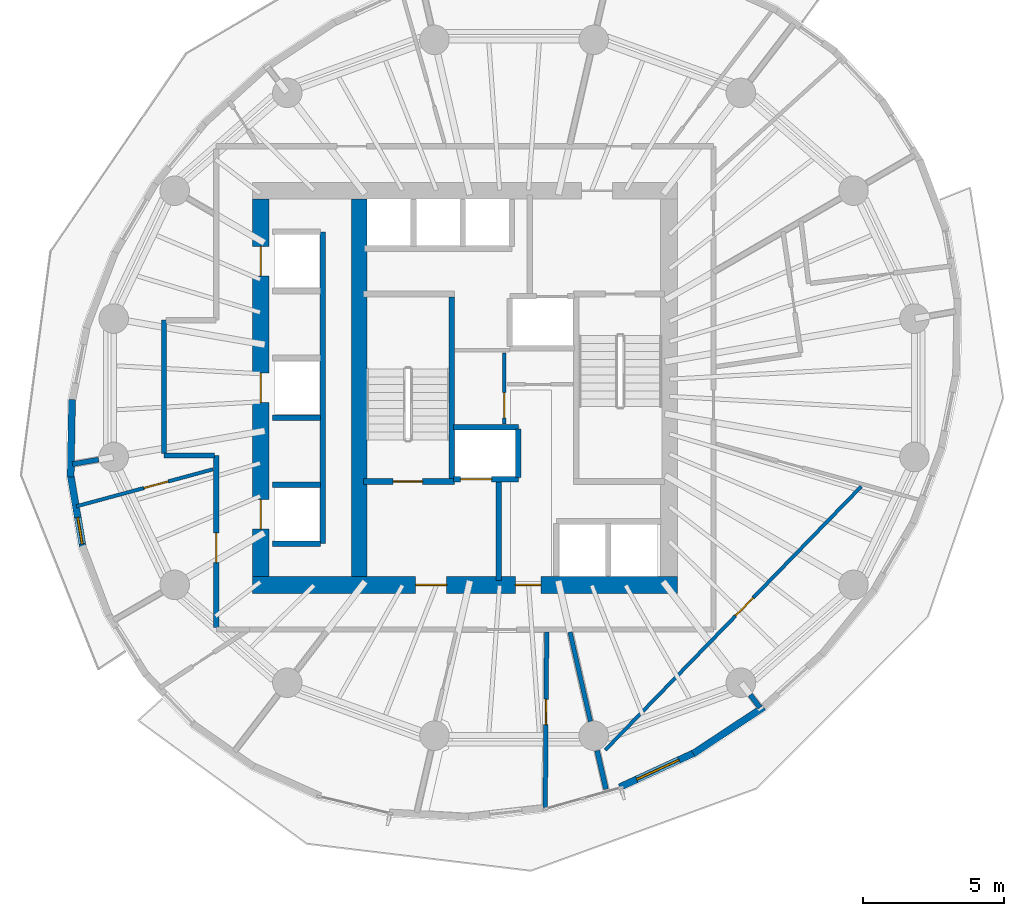
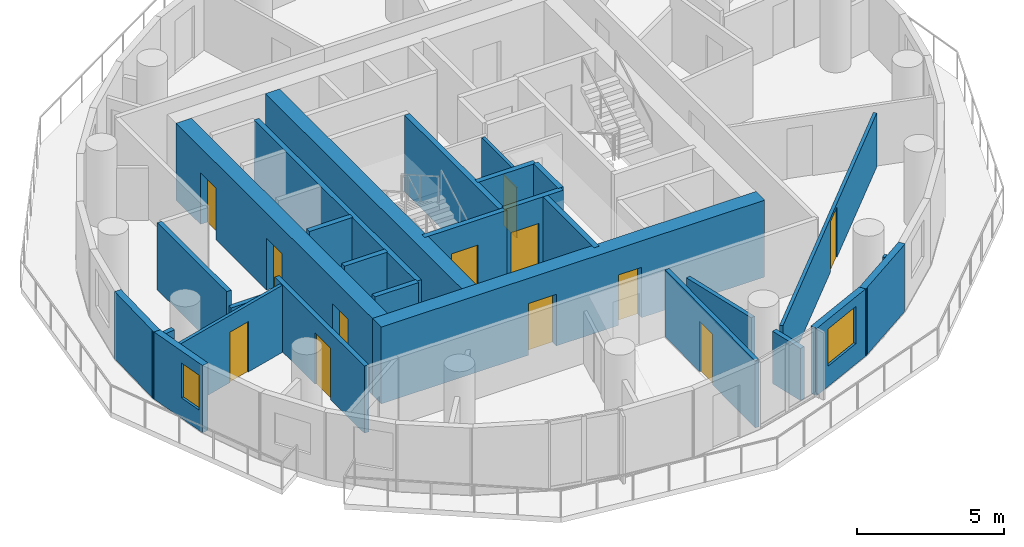
# One storey, part 5 of 13: 28 walls, 12 doors, 2 windows, 14 openings.
"""IFC4 building model written with IfcOpenShell, lengths in metres."""

from ifc_helpers import new_model, si_unit, direction, frame, frame_2d, origin, place, context, subcontext, project, spatial, rectangle, extrude, material, layer, layer_set, type_object, element, fill, save


model = new_model("IFC4")

# Units and contexts
model_context = context("Model", 3, precision=1e-05, world=origin(), true_north=direction((0.0, 1.0)))
body_context = subcontext(model_context, "Body", "Model", "MODEL_VIEW")
ifc_project = project(units=[si_unit("LENGTHUNIT", "METRE"), si_unit("AREAUNIT", "SQUARE_METRE"), si_unit("VOLUMEUNIT", "CUBIC_METRE"), si_unit("PLANEANGLEUNIT", "RADIAN"), si_unit("MASSUNIT", "GRAM", prefix="KILO")], contexts=[model_context])

# Site, building, storey
site_placement = place(None, origin())
site = spatial("IfcSite", under=ifc_project, at=site_placement, CompositionType="ELEMENT")
building_placement = place(site_placement, origin())
building = spatial("IfcBuilding", under=site, at=building_placement, Name="Veldorim Arch Residences", CompositionType="ELEMENT")
storey_placement = place(building_placement, frame((0.0, 0.0, 155.360107421875)))
storey = spatial("IfcBuildingStorey", under=building, at=storey_placement, Name="L46", CompositionType="ELEMENT", Elevation=155.360107421875)

# Wall, opening, door
ifc_material_1 = material(Name="Acoustic Gypsum Board", Category="gypsum")
ifc_layer_1 = layer(ifc_material_1, 0.125, Name="Acoustic Stud Room Partition Wall 125")
ifc_layer_set_1 = layer_set([ifc_layer_1], Name="Acoustic Gypsum Board")
wall_type_1 = type_object("IfcWallType", Name="Acoustic Stud Room Partition Wall 125", PredefinedType="PARTITIONING", material=ifc_layer_set_1)
wall_1_placement = place(storey_placement, frame((31.64990234375, 22.719970703125, 0.0), z_axis=(0.0, 0.0, 1.0), x_axis=(0.0, 1.0, 0.0)))
wall_1 = element("IfcWall", 1, at=wall_1_placement, inside=storey, type_object=wall_type_1, Name="L46 interior wall WL-CA-L46-1", PredefinedType="PARTITIONING", context=body_context, shape_type="SweptSolid", body=[
    extrude(rectangle(XDim=2.52001953125, YDim=0.125, at=frame_2d((1.260009765625, 0.0))), origin(), (0.0, 0.0, 1.0), 2.794921875),
])
opening_1_placement = place(wall_1_placement, frame((0.2099609375, 0.0, 0.0)))
opening_1 = element("IfcOpeningElement", 2, at=opening_1_placement, cuts=wall_1, Name="Opening DR-SVC", PredefinedType="OPENING", context=body_context, shape_type="SweptSolid", body=[
    extrude(rectangle(XDim=0.89990234375, YDim=2.10009765625, at=frame_2d((0.449951171875, 1.050048828125))), frame((0.0, 0.072509765625, 0.0), z_axis=(0.0, -1.0, 0.0), x_axis=(1.0, 0.0, 0.0)), (0.0, 0.0, 1.0), 0.14501953125),
])
ifc_material_2 = material(Name="Fire-Rated Steel", Category="steel")
door_type_1 = type_object("IfcDoorType", Name="Riser, Shelter & Plant Room Rated Steel Door 900x2100", OperationType="SINGLE_SWING_LEFT", PredefinedType="DOOR", material=ifc_material_2)
door_1_placement = place(opening_1_placement, origin())
door_1 = element("IfcDoor", 3, at=door_1_placement, inside=storey, type_object=door_type_1, Name="L46 interior door DR-L46-CA1", OperationType="SINGLE_SWING_LEFT", OverallHeight=2.10009765625, OverallWidth=0.89990234375, PredefinedType="DOOR", context=body_context, shape_type="SweptSolid", body=[
    extrude(rectangle(XDim=0.89990234375, YDim=2.10009765625, at=frame_2d((0.449951171875, 1.050048828125))), frame((0.0, 0.02490234375, 0.0), z_axis=(0.0, -1.0, 0.0), x_axis=(1.0, 0.0, 0.0)), (0.0, 0.0, 1.0), 0.050048828125),
])
fill(opening_1, door_1)

wall_2_placement = place(storey_placement, frame((44.335693359375, 20.49658203125, 0.0), z_axis=(0.0, 0.0, 1.0), x_axis=(-0.696857448942, -0.717209659621, 0.0)))
wall_2 = element("IfcWall", 4, at=wall_2_placement, inside=storey, type_object=wall_type_1, Name="L46 interior wall WL-RES-L46-021", PredefinedType="PARTITIONING", context=body_context, shape_type="SweptSolid", body=[
    extrude(rectangle(XDim=13.051513671875, YDim=0.125, at=frame_2d((6.52587890625, 0.0))), origin(), (0.0, 0.0, 1.0), 2.251220703125),
])
opening_2_placement = place(wall_2_placement, frame((5.515625, 0.0, 0.0)))
opening_2 = element("IfcOpeningElement", 5, at=opening_2_placement, cuts=wall_2, Name="Opening DR-INT", PredefinedType="OPENING", context=body_context, shape_type="SweptSolid", body=[
    extrude(rectangle(XDim=0.89990234375, YDim=2.10009765625, at=frame_2d((0.449951171875, 1.050048828125))), frame((0.0, 0.072509765625, 0.0), z_axis=(0.0, -1.0, 0.0), x_axis=(1.0, 0.0, 0.0)), (0.0, 0.0, 1.0), 0.14501953125),
])
ifc_material_3 = material(Name="Engineered Timber", Category="wood")
door_type_2 = type_object("IfcDoorType", Name="Apartment Internal Room Timber Door 900x2100", OperationType="SINGLE_SWING_LEFT", PredefinedType="DOOR", material=ifc_material_3)
door_2_placement = place(opening_2_placement, origin())
door_2 = element("IfcDoor", 6, at=door_2_placement, inside=storey, type_object=door_type_2, Name="L46 interior door DR-RES-L46-007", OperationType="SINGLE_SWING_LEFT", OverallHeight=2.10009765625, OverallWidth=0.89990234375, PredefinedType="DOOR", context=body_context, shape_type="SweptSolid", body=[
    extrude(rectangle(XDim=0.89990234375, YDim=2.10009765625, at=frame_2d((0.449951171875, 1.050048828125))), frame((0.0, 0.02490234375, 0.0), z_axis=(0.0, -1.0, 0.0), x_axis=(1.0, 0.0, 0.0)), (0.0, 0.0, 1.0), 0.050048828125),
])
fill(opening_2, door_2)

wall_3_placement = place(storey_placement, frame((16.44775390625, 19.788330078125, 0.0), z_axis=(0.0, 0.0, 1.0), x_axis=(0.965231473287, 0.261396639182, 0.0)))
wall_3 = element("IfcWall", 7, at=wall_3_placement, inside=storey, type_object=wall_type_1, Name="L46 interior wall WL-RES-L46-029", PredefinedType="PARTITIONING", context=body_context, shape_type="SweptSolid", body=[
    extrude(rectangle(XDim=5.031494140625, YDim=0.125, at=frame_2d((2.515625, 0.0))), origin(), (0.0, 0.0, 1.0), 2.794921875),
])
opening_3_placement = place(wall_3_placement, frame((2.485595703125, 0.0, 0.0)))
opening_3 = element("IfcOpeningElement", 8, at=opening_3_placement, cuts=wall_3, Name="Opening DR-INT", PredefinedType="OPENING", context=body_context, shape_type="SweptSolid", body=[
    extrude(rectangle(XDim=0.89990234375, YDim=2.10009765625, at=frame_2d((0.449951171875, 1.050048828125))), frame((0.0, 0.072509765625, 0.0), z_axis=(0.0, -1.0, 0.0), x_axis=(1.0, 0.0, 0.0)), (0.0, 0.0, 1.0), 0.14501953125),
])
door_3_placement = place(opening_3_placement, origin())
door_3 = element("IfcDoor", 9, at=door_3_placement, inside=storey, type_object=door_type_2, Name="L46 interior door DR-RES-L46-017", OperationType="SINGLE_SWING_LEFT", OverallHeight=2.10009765625, OverallWidth=0.89990234375, PredefinedType="DOOR", context=body_context, shape_type="SweptSolid", body=[
    extrude(rectangle(XDim=0.89990234375, YDim=2.10009765625, at=frame_2d((0.449951171875, 1.050048828125))), frame((0.0, 0.02490234375, 0.0), z_axis=(0.0, -1.0, 0.0), x_axis=(1.0, 0.0, 0.0)), (0.0, 0.0, 1.0), 0.050048828125),
])
fill(opening_3, door_3)

# Walls
ifc_material_4 = material(Name="Lightweight Masonry Block & Gypsum", Category="masonry")
ifc_layer_2 = layer(ifc_material_4, 0.179931640625, Name="Compartment & Corridor Fire-Rated Party Wall 180")
ifc_layer_set_2 = layer_set([ifc_layer_2], Name="Lightweight Masonry Block & Gypsum")
wall_type_2 = type_object("IfcWallType", Name="Compartment & Corridor Fire-Rated Party Wall 180", PredefinedType="PARTITIONING", material=ifc_layer_set_2)
wall_4_placement = place(storey_placement, frame((17.24169921875, 21.44921875, 0.0), z_axis=(0.0, 0.0, 1.0), x_axis=(-0.985363023372, -0.170469094476, 0.0)))
element("IfcWall", 10, at=wall_4_placement, inside=storey, type_object=wall_type_2, Name="L46 interior wall WL-PIER-L46-09", PredefinedType="PARTITIONING", context=body_context, shape_type="SweptSolid", body=[
    extrude(rectangle(XDim=0.9453125, YDim=0.179931640625, at=frame_2d((0.47265625, 0.0))), origin(), (0.0, 0.0, 1.0), 2.17578125),
])
wall_5_placement = place(storey_placement, frame((34.950439453125, 11.11083984375, 0.0), z_axis=(0.0, 0.0, 1.0), x_axis=(0.223121817242, -0.974790569646, 0.0)))
element("IfcWall", 11, at=wall_5_placement, inside=storey, type_object=wall_type_2, Name="L46 interior wall WL-PIER-L46-13", PredefinedType="PARTITIONING", context=body_context, shape_type="SweptSolid", body=[
    extrude(rectangle(XDim=1.406005859375, YDim=0.179931640625, at=frame_2d((0.703125, 0.0))), origin(), (0.0, 0.0, 1.0), 2.17578125),
])
wall_6_placement = place(storey_placement, frame((40.387939453125, 13.091552734375, 0.0), z_axis=(0.0, 0.0, 1.0), x_axis=(0.609608105511, -0.79270294417, 0.0)))
element("IfcWall", 12, at=wall_6_placement, inside=storey, type_object=wall_type_2, Name="L46 interior wall WL-PIER-L46-14", PredefinedType="PARTITIONING", context=body_context, shape_type="SweptSolid", body=[
    extrude(rectangle(XDim=0.57470703125, YDim=0.179931640625, at=frame_2d((0.287353515625, 0.0))), origin(), (0.0, 0.0, 1.0), 2.17578125),
])

# Wall, opening, door
wall_7_placement = place(storey_placement, frame((21.419921875, 15.47998046875, 0.0), z_axis=(0.0, 0.0, 1.0), x_axis=(0.0, 1.0, 0.0)))
wall_7 = element("IfcWall", 13, at=wall_7_placement, inside=storey, type_object=wall_type_2, Name="L46 interior wall WL-RES-L46-007", PredefinedType="PARTITIONING", context=body_context, shape_type="SweptSolid", body=[
    extrude(rectangle(XDim=6.1201171875, YDim=0.179931640625, at=frame_2d((3.06005859375, 0.0))), origin(), (0.0, 0.0, 1.0), 2.794921875),
])
opening_4_placement = place(wall_7_placement, frame((2.3125, 0.0, 0.0)))
opening_4 = element("IfcOpeningElement", 14, at=opening_4_placement, cuts=wall_7, Name="Opening DR-FLT", PredefinedType="OPENING", context=body_context, shape_type="SweptSolid", body=[
    extrude(rectangle(XDim=1.050048828125, YDim=2.14990234375, at=frame_2d((0.52490234375, 1.074951171875))), frame((0.0, 0.099853515625, 0.0), z_axis=(0.0, -1.0, 0.0), x_axis=(1.0, 0.0, 0.0)), (0.0, 0.0, 1.0), 0.199951171875),
])
ifc_material_5 = material(Name="Fire-Rated Timber", Category="wood")
door_type_3 = type_object("IfcDoorType", Name="Apartment Entrance Solid-Core Fire Door 1050x2150", OperationType="SINGLE_SWING_LEFT", PredefinedType="DOOR", material=ifc_material_5)
door_4_placement = place(opening_4_placement, origin())
door_4 = element("IfcDoor", 15, at=door_4_placement, inside=storey, type_object=door_type_3, Name="L46 interior door DR-RES-L46-015", OperationType="SINGLE_SWING_LEFT", OverallHeight=2.14990234375, OverallWidth=1.050048828125, PredefinedType="DOOR", context=body_context, shape_type="SweptSolid", body=[
    extrude(rectangle(XDim=1.050048828125, YDim=2.14990234375, at=frame_2d((0.52490234375, 1.074951171875))), frame((0.0, 0.02490234375, 0.0), z_axis=(0.0, -1.0, 0.0), x_axis=(1.0, 0.0, 0.0)), (0.0, 0.0, 1.0), 0.050048828125),
])
fill(opening_4, door_4)

# Walls
wall_8_placement = place(storey_placement, frame((21.360107421875, 21.60009765625, 0.0), z_axis=(0.0, 0.0, 1.0), x_axis=(-1.0, 0.0, 0.0)))
element("IfcWall", 16, at=wall_8_placement, inside=storey, type_object=wall_type_2, Name="L46 interior wall WL-RES-L46-008", PredefinedType="PARTITIONING", context=body_context, shape_type="SweptSolid", body=[
    extrude(rectangle(XDim=1.7900390625, YDim=0.179931640625, at=frame_2d((0.89501953125, 0.0))), origin(), (0.0, 0.0, 1.0), 2.17578125),
])
wall_9_placement = place(storey_placement, frame((19.570068359375, 21.659912109375, 0.0), z_axis=(0.0, 0.0, 1.0), x_axis=(0.0, 1.0, 0.0)))
element("IfcWall", 17, at=wall_9_placement, inside=storey, type_object=wall_type_2, Name="L46 interior wall WL-RES-L46-009", PredefinedType="PARTITIONING", context=body_context, shape_type="SweptSolid", body=[
    extrude(rectangle(XDim=4.739990234375, YDim=0.179931640625, at=frame_2d((2.3701171875, 0.0))), origin(), (0.0, 0.0, 1.0), 2.794921875),
])
ifc_material_6 = material(Name="Concrete C50/60", Category="concrete")
ifc_layer_3 = layer(ifc_material_6, 0.199951171875, Name="Core Stair & Lift Shaft Enclosure Wall 200")
ifc_layer_set_3 = layer_set([ifc_layer_3], Name="Concrete C50/60")
wall_type_3 = type_object("IfcWallType", Name="Core Stair & Lift Shaft Enclosure Wall 200", PredefinedType="SHEAR", material=ifc_layer_set_3)
wall_10_placement = place(storey_placement, frame((29.7900390625, 20.780029296875, 0.0), z_axis=(0.0, 0.0, 1.0), x_axis=(0.0, 1.0, 0.0)))
element("IfcWall", 18, at=wall_10_placement, inside=storey, type_object=wall_type_3, Name="L46 shaft wall WL-SHF-L46-ST1-E", PredefinedType="SHEAR", context=body_context, shape_type="SweptSolid", body=[
    extrude(rectangle(XDim=6.43994140625, YDim=0.199951171875, at=frame_2d((3.219970703125, 0.0))), origin(), (0.0, 0.0, 1.0), 3.199951171875),
])

# Wall, opening, door
wall_11_placement = place(storey_placement, frame((26.64990234375, 20.669921875, 0.0), z_axis=(0.0, 0.0, 1.0), x_axis=(1.0, 0.0, 0.0)))
wall_11 = element("IfcWall", 19, at=wall_11_placement, inside=storey, type_object=wall_type_3, Name="L46 shaft wall WL-SHF-L46-ST1-S", PredefinedType="SHEAR", context=body_context, shape_type="SweptSolid", body=[
    extrude(rectangle(XDim=3.239990234375, YDim=0.199951171875, at=frame_2d((1.6201171875, 0.0))), origin(), (0.0, 0.0, 1.0), 3.199951171875),
])
opening_5_placement = place(wall_11_placement, frame((1.054931640625, 0.0, 0.0)))
opening_5 = element("IfcOpeningElement", 20, at=opening_5_placement, cuts=wall_11, Name="Opening DR-ST", PredefinedType="OPENING", context=body_context, shape_type="SweptSolid", body=[
    extrude(rectangle(XDim=1.050048828125, YDim=2.14990234375, at=frame_2d((0.52490234375, 1.074951171875))), frame((0.0, 0.10986328125, 0.0), z_axis=(0.0, -1.0, 0.0), x_axis=(1.0, 0.0, 0.0)), (0.0, 0.0, 1.0), 0.219970703125),
])
ifc_material_7 = material(Name="Fire-Rated Steel", Category="steel")
door_type_4 = type_object("IfcDoorType", Name="Exit Staircase Self-Closing Fire Door 1050x2150", OperationType="SINGLE_SWING_LEFT", PredefinedType="DOOR", material=ifc_material_7)
door_5_placement = place(opening_5_placement, origin())
door_5 = element("IfcDoor", 21, at=door_5_placement, inside=storey, type_object=door_type_4, Name="L46 interior door DR-L46-ST1", OperationType="SINGLE_SWING_LEFT", OverallHeight=2.14990234375, OverallWidth=1.050048828125, PredefinedType="DOOR", context=body_context, shape_type="SweptSolid", body=[
    extrude(rectangle(XDim=1.050048828125, YDim=2.14990234375, at=frame_2d((0.52490234375, 1.074951171875))), frame((0.0, 0.02490234375, 0.0), z_axis=(0.0, -1.0, 0.0), x_axis=(1.0, 0.0, 0.0)), (0.0, 0.0, 1.0), 0.050048828125),
])
fill(opening_5, door_5)

# Wall
wall_12_placement = place(storey_placement, frame((31.449951171875, 17.14990234375, 0.0), z_axis=(0.0, 0.0, 1.0), x_axis=(0.0, 1.0, 0.0)))
element("IfcWall", 22, at=wall_12_placement, inside=storey, type_object=wall_type_3, Name="L46 shaft wall WL-FFL1-L46-E", PredefinedType="SHEAR", context=body_context, shape_type="SweptSolid", body=[
    extrude(rectangle(XDim=3.5, YDim=0.199951171875, at=frame_2d((1.75, 0.0))), origin(), (0.0, 0.0, 1.0), 3.199951171875),
])

# Wall, opening, door
wall_13_placement = place(storey_placement, frame((29.85009765625, 20.75, 0.0), z_axis=(0.0, 0.0, 1.0), x_axis=(1.0, 0.0, 0.0)))
wall_13 = element("IfcWall", 23, at=wall_13_placement, inside=storey, type_object=wall_type_3, Name="L46 shaft wall WL-FL01-L46-S", PredefinedType="SHEAR", context=body_context, shape_type="SweptSolid", body=[
    extrude(rectangle(XDim=2.2998046875, YDim=0.199951171875, at=frame_2d((1.14990234375, 0.0))), origin(), (0.0, 0.0, 1.0), 3.199951171875),
])
opening_6_placement = place(wall_13_placement, frame((0.25, 0.0, 0.0)))
opening_6 = element("IfcOpeningElement", 24, at=opening_6_placement, cuts=wall_13, Name="Opening LD-FF", PredefinedType="OPENING", context=body_context, shape_type="SweptSolid", body=[
    extrude(rectangle(XDim=1.10009765625, YDim=2.14990234375, at=frame_2d((0.550048828125, 1.074951171875))), frame((0.0, 0.10986328125, 0.0), z_axis=(0.0, -1.0, 0.0), x_axis=(1.0, 0.0, 0.0)), (0.0, 0.0, 1.0), 0.219970703125),
])
ifc_material_8 = material(Name="Stainless Steel", Category="steel")
door_type_5 = type_object("IfcDoorType", Name="Firefighting Lift Bi-Parting Sliding Landing Door 1100x2150", OperationType="DOUBLE_DOOR_SLIDING", PredefinedType="DOOR", material=ifc_material_8)
door_6_placement = place(opening_6_placement, origin())
door_6 = element("IfcDoor", 25, at=door_6_placement, inside=storey, type_object=door_type_5, Name="L46 lift landing door LD-L46-FL01", OperationType="DOUBLE_DOOR_SLIDING", OverallHeight=2.14990234375, OverallWidth=1.10009765625, PredefinedType="DOOR", context=body_context, shape_type="SweptSolid", body=[
    extrude(rectangle(XDim=1.10009765625, YDim=2.14990234375, at=frame_2d((0.550048828125, 1.074951171875))), frame((0.0, 0.02490234375, 0.0), z_axis=(0.0, -1.0, 0.0), x_axis=(1.0, 0.0, 0.0)), (0.0, 0.0, 1.0), 0.050048828125),
])
fill(opening_6, door_6)

# Walls
wall_14_placement = place(storey_placement, frame((29.85009765625, 22.60009765625, 0.0), z_axis=(0.0, 0.0, 1.0), x_axis=(1.0, 0.0, 0.0)))
element("IfcWall", 26, at=wall_14_placement, inside=storey, type_object=wall_type_3, Name="L46 shaft wall WL-FL01-L46-N", PredefinedType="SHEAR", context=body_context, shape_type="SweptSolid", body=[
    extrude(rectangle(XDim=2.2998046875, YDim=0.199951171875, at=frame_2d((1.14990234375, 0.0))), origin(), (0.0, 0.0, 1.0), 3.199951171875),
])
wall_15_placement = place(storey_placement, frame((32.14990234375, 20.820068359375, 0.0), z_axis=(0.0, 0.0, 1.0), x_axis=(0.0, 1.0, 0.0)))
element("IfcWall", 27, at=wall_15_placement, inside=storey, type_object=wall_type_3, Name="L46 shaft wall WL-FL01-L46-E", PredefinedType="SHEAR", context=body_context, shape_type="SweptSolid", body=[
    extrude(rectangle(XDim=1.7099609375, YDim=0.199951171875, at=frame_2d((0.85498046875, 0.0))), origin(), (0.0, 0.0, 1.0), 3.199951171875),
])
wall_16_placement = place(storey_placement, frame((25.199951171875, 18.4599609375, 0.0), z_axis=(0.0, 0.0, 1.0), x_axis=(0.0, 1.0, 0.0)))
element("IfcWall", 28, at=wall_16_placement, inside=storey, type_object=wall_type_3, Name="L46 shaft wall WL-B2-L46-E", PredefinedType="SHEAR", context=body_context, shape_type="SweptSolid", body=[
    extrude(rectangle(XDim=11.080078125, YDim=0.199951171875, at=frame_2d((5.5400390625, 0.0))), origin(), (0.0, 0.0, 1.0), 3.199951171875),
])
for number, where, z_axis, x_axis, name in (
    (29, (23.419921875, 18.4599609375, 0.0), (0.0, 0.0, 1.0), (1.0, 0.0, 0.0), "L46 shaft wall WL-B2-L46-S"),
    (30, (23.419921875, 20.56005859375, 0.0), (0.0, 0.0, 1.0), (1.0, 0.0, 0.0), "L46 shaft wall WL-B2-L46-D1A"),
    (31, (23.419921875, 22.93994140625, 0.0), (0.0, 0.0, 1.0), (1.0, 0.0, 0.0), "L46 shaft wall WL-B2-L46-D1B"),
):
    element("IfcWall", number, at=place(storey_placement, frame(where, z_axis=z_axis, x_axis=x_axis)), inside=storey, type_object=wall_type_3, Name=name, PredefinedType="SHEAR", context=body_context, shape_type="SweptSolid", body=[
        extrude(rectangle(XDim=1.7099609375, YDim=0.199951171875, at=frame_2d((0.85498046875, 0.0))), origin(), (0.0, 0.0, 1.0), 3.199951171875),
    ])

# Wall, openings, doors
ifc_material_9 = material(Name="Concrete C50/60", Category="concrete")
ifc_layer_4 = layer(ifc_material_9, 0.60009765625, Name="Mid-Upper Central Core Shear Wall 600")
ifc_layer_set_4 = layer_set([ifc_layer_4], Name="Concrete C50/60")
wall_type_4 = type_object("IfcWallType", Name="Mid-Upper Central Core Shear Wall 600", PredefinedType="SHEAR", material=ifc_layer_set_4)
wall_17_placement = place(storey_placement, frame((22.699951171875, 17.0, 0.0), z_axis=(0.0, 0.0, 1.0), x_axis=(1.0, 0.0, 0.0)))
wall_17 = element("IfcWall", 32, at=wall_17_placement, inside=storey, type_object=wall_type_4, Name="L46 central core south shear wall", PredefinedType="SHEAR", context=body_context, shape_type="SweptSolid", body=[
    extrude(rectangle(XDim=15.10009765625, YDim=0.60009765625, at=frame_2d((7.550048828125, 0.0))), origin(), (0.0, 0.0, 1.0), 3.199951171875),
])
opening_7_placement = place(wall_17_placement, frame((5.800048828125, 0.0, 0.0)))
opening_7 = element("IfcOpeningElement", 33, at=opening_7_placement, cuts=wall_17, Name="Opening DR-FFL", PredefinedType="OPENING", context=body_context, shape_type="SweptSolid", body=[
    extrude(rectangle(XDim=1.10009765625, YDim=2.14990234375, at=frame_2d((0.550048828125, 1.074951171875))), frame((0.0, 0.31005859375, 0.0), z_axis=(0.0, -1.0, 0.0), x_axis=(1.0, 0.0, 0.0)), (0.0, 0.0, 1.0), 0.6201171875),
])
opening_8_placement = place(wall_17_placement, frame((9.35009765625, 0.0, 0.0)))
opening_8 = element("IfcOpeningElement", 34, at=opening_8_placement, cuts=wall_17, Name="Opening DR-SVC", PredefinedType="OPENING", context=body_context, shape_type="SweptSolid", body=[
    extrude(rectangle(XDim=0.89990234375, YDim=2.10009765625, at=frame_2d((0.449951171875, 1.050048828125))), frame((0.0, 0.31005859375, 0.0), z_axis=(0.0, -1.0, 0.0), x_axis=(1.0, 0.0, 0.0)), (0.0, 0.0, 1.0), 0.6201171875),
])
ifc_material_10 = material(Name="Fire-Rated Steel & Vision Glass", Category="steel")
door_type_6 = type_object("IfcDoorType", Name="Firefighting Lobby Smoke-Stop Fire Door 1100x2150", OperationType="SINGLE_SWING_LEFT", PredefinedType="DOOR", material=ifc_material_10)
door_7_placement = place(opening_7_placement, origin())
door_7 = element("IfcDoor", 35, at=door_7_placement, inside=storey, type_object=door_type_6, Name="L46 interior door DR-L46-FFL1", OperationType="SINGLE_SWING_RIGHT", OverallHeight=2.14990234375, OverallWidth=1.10009765625, PredefinedType="DOOR", context=body_context, shape_type="SweptSolid", body=[
    extrude(rectangle(XDim=1.10009765625, YDim=2.14990234375, at=frame_2d((0.550048828125, 1.074951171875))), frame((0.0, 0.02490234375, 0.0), z_axis=(0.0, -1.0, 0.0), x_axis=(1.0, 0.0, 0.0)), (0.0, 0.0, 1.0), 0.050048828125),
])
fill(opening_7, door_7)
door_8_placement = place(opening_8_placement, origin())
door_8 = element("IfcDoor", 36, at=door_8_placement, inside=storey, type_object=door_type_1, Name="L46 interior door DR-L46-COR-ANC", OperationType="SINGLE_SWING_LEFT", OverallHeight=2.10009765625, OverallWidth=0.89990234375, PredefinedType="DOOR", context=body_context, shape_type="SweptSolid", body=[
    extrude(rectangle(XDim=0.89990234375, YDim=2.10009765625, at=frame_2d((0.449951171875, 1.050048828125))), frame((0.0, 0.02490234375, 0.0), z_axis=(0.0, -1.0, 0.0), x_axis=(1.0, 0.0, 0.0)), (0.0, 0.0, 1.0), 0.050048828125),
])
fill(opening_8, door_8)

wall_18_placement = place(storey_placement, frame((23.0, 17.300048828125, 0.0), z_axis=(0.0, 0.0, 1.0), x_axis=(0.0, 1.0, 0.0)))
wall_18 = element("IfcWall", 37, at=wall_18_placement, inside=storey, type_object=wall_type_4, Name="L46 central core west shear wall", PredefinedType="SHEAR", context=body_context, shape_type="SweptSolid", body=[
    extrude(rectangle(XDim=13.39990234375, YDim=0.60009765625, at=frame_2d((6.699951171875, 0.0))), origin(), (0.0, 0.0, 1.0), 3.199951171875),
])
opening_9_placement = place(wall_18_placement, frame((1.675048828125, 0.0, 0.0)))
opening_9 = element("IfcOpeningElement", 38, at=opening_9_placement, cuts=wall_18, Name="Opening LD-PS", PredefinedType="OPENING", context=body_context, shape_type="SweptSolid", body=[
    extrude(rectangle(XDim=1.050048828125, YDim=2.14990234375, at=frame_2d((0.52490234375, 1.074951171875))), frame((0.0, 0.31005859375, 0.0), z_axis=(0.0, -1.0, 0.0), x_axis=(1.0, 0.0, 0.0)), (0.0, 0.0, 1.0), 0.6201171875),
])
opening_10_placement = place(wall_18_placement, frame((6.175048828125, 0.0, 0.0)))
opening_10 = element("IfcOpeningElement", 39, at=opening_10_placement, cuts=wall_18, Name="Opening LD-PS", PredefinedType="OPENING", context=body_context, shape_type="SweptSolid", body=[
    extrude(rectangle(XDim=1.050048828125, YDim=2.14990234375, at=frame_2d((0.52490234375, 1.074951171875))), frame((0.0, 0.31005859375, 0.0), z_axis=(0.0, -1.0, 0.0), x_axis=(1.0, 0.0, 0.0)), (0.0, 0.0, 1.0), 0.6201171875),
])
opening_11_placement = place(wall_18_placement, frame((10.675048828125, 0.0, 0.0)))
opening_11 = element("IfcOpeningElement", 40, at=opening_11_placement, cuts=wall_18, Name="Opening LD-PS", PredefinedType="OPENING", context=body_context, shape_type="SweptSolid", body=[
    extrude(rectangle(XDim=1.050048828125, YDim=2.14990234375, at=frame_2d((0.52490234375, 1.074951171875))), frame((0.0, 0.31005859375, 0.0), z_axis=(0.0, -1.0, 0.0), x_axis=(1.0, 0.0, 0.0)), (0.0, 0.0, 1.0), 0.6201171875),
])
ifc_material_11 = material(Name="Stainless Steel", Category="steel")
door_type_7 = type_object("IfcDoorType", Name="Passenger Lift Bi-Parting Sliding Landing Door 1050x2150", OperationType="DOUBLE_DOOR_SLIDING", PredefinedType="DOOR", material=ifc_material_11)
door_9_placement = place(opening_9_placement, origin())
door_9 = element("IfcDoor", 41, at=door_9_placement, inside=storey, type_object=door_type_7, Name="L46 lift landing door LD-L46-PL-05", OperationType="DOUBLE_DOOR_SLIDING", OverallHeight=2.14990234375, OverallWidth=1.050048828125, PredefinedType="DOOR", context=body_context, shape_type="SweptSolid", body=[
    extrude(rectangle(XDim=1.050048828125, YDim=2.14990234375, at=frame_2d((0.52490234375, 1.074951171875))), frame((0.0, 0.02490234375, 0.0), z_axis=(0.0, -1.0, 0.0), x_axis=(1.0, 0.0, 0.0)), (0.0, 0.0, 1.0), 0.050048828125),
])
fill(opening_9, door_9)
door_10_placement = place(opening_10_placement, origin())
door_10 = element("IfcDoor", 42, at=door_10_placement, inside=storey, type_object=door_type_7, Name="L46 lift landing door LD-L46-PL-06", OperationType="DOUBLE_DOOR_SLIDING", OverallHeight=2.14990234375, OverallWidth=1.050048828125, PredefinedType="DOOR", context=body_context, shape_type="SweptSolid", body=[
    extrude(rectangle(XDim=1.050048828125, YDim=2.14990234375, at=frame_2d((0.52490234375, 1.074951171875))), frame((0.0, 0.02490234375, 0.0), z_axis=(0.0, -1.0, 0.0), x_axis=(1.0, 0.0, 0.0)), (0.0, 0.0, 1.0), 0.050048828125),
])
fill(opening_10, door_10)
door_11_placement = place(opening_11_placement, origin())
door_11 = element("IfcDoor", 43, at=door_11_placement, inside=storey, type_object=door_type_7, Name="L46 lift landing door LD-L46-PL-07", OperationType="DOUBLE_DOOR_SLIDING", OverallHeight=2.14990234375, OverallWidth=1.050048828125, PredefinedType="DOOR", context=body_context, shape_type="SweptSolid", body=[
    extrude(rectangle(XDim=1.050048828125, YDim=2.14990234375, at=frame_2d((0.52490234375, 1.074951171875))), frame((0.0, 0.02490234375, 0.0), z_axis=(0.0, -1.0, 0.0), x_axis=(1.0, 0.0, 0.0)), (0.0, 0.0, 1.0), 0.050048828125),
])
fill(opening_11, door_11)

# Wall
ifc_material_12 = material(Name="Precast concrete C40/50", Category="concrete")
ifc_layer_5 = layer(ifc_material_12, 0.25, Name="Tower Terracotta Spandrel & Pier Wall 250")
ifc_layer_set_5 = layer_set([ifc_layer_5], Name="Precast concrete C40/50")
wall_type_5 = type_object("IfcWallType", Name="Tower Terracotta Spandrel & Pier Wall 250", PredefinedType="SOLIDWALL", material=ifc_layer_set_5)
wall_19_placement = place(storey_placement, frame((16.246826171875, 20.824951171875, 0.0), z_axis=(0.0, 0.0, 1.0), x_axis=(0.018273942119, 0.999833017578, 0.0)))
element("IfcWall", 44, at=wall_19_placement, inside=storey, type_object=wall_type_5, Name="L46 terracotta facade wall 15", PredefinedType="SOLIDWALL", context=body_context, shape_type="SweptSolid", body=[
    extrude(rectangle(XDim=2.752197265625, YDim=0.25, at=frame_2d((1.3759765625, 0.0))), origin(), (0.0, 0.0, 1.0), 2.7998046875),
])

# Wall, opening, window
wall_20_placement = place(storey_placement, frame((16.687255859375, 18.2822265625, 0.0), z_axis=(0.0, 0.0, 1.0), x_axis=(-0.166721354457, 0.9860040517, 0.0)))
wall_20 = element("IfcWall", 45, at=wall_20_placement, inside=storey, type_object=wall_type_5, Name="L46 terracotta facade wall 16", PredefinedType="SOLIDWALL", context=body_context, shape_type="SweptSolid", body=[
    extrude(rectangle(XDim=2.69287109375, YDim=0.25, at=frame_2d((1.346435546875, 0.0))), origin(), (0.0, 0.0, 1.0), 2.7998046875),
])
opening_12_placement = place(wall_20_placement, frame((0.175048828125, 0.0, 0.85009765625)))
opening_12 = element("IfcOpeningElement", 46, at=opening_12_placement, cuts=wall_20, Name="Opening WN-05", PredefinedType="OPENING", context=body_context, shape_type="SweptSolid", body=[
    extrude(rectangle(XDim=0.949951171875, YDim=1.449951171875, at=frame_2d((0.47509765625, 0.72509765625))), frame((0.0, 0.135009765625, 0.0), z_axis=(0.0, -1.0, 0.0), x_axis=(1.0, 0.0, 0.0)), (0.0, 0.0, 1.0), 0.27001953125),
])
ifc_material_13 = material(Name="Laminated Low-E Glass", Category="glass")
window_type_1 = type_object("IfcWindowType", Name="Residential Compact Casement Window 950x1450", PartitioningType="SINGLE_PANEL", PredefinedType="WINDOW", material=ifc_material_13)
window_1_placement = place(opening_12_placement, origin())
window_1 = element("IfcWindow", 47, at=window_1_placement, inside=storey, type_object=window_type_1, Name="L46 solar-control facade window 16", OverallHeight=1.449951171875, OverallWidth=0.949951171875, PartitioningType="SINGLE_PANEL", PredefinedType="WINDOW", context=body_context, shape_type="SweptSolid", body=[
    extrude(rectangle(XDim=0.949951171875, YDim=1.449951171875, at=frame_2d((0.47509765625, 0.72509765625))), frame((0.0, 0.030029296875, 0.0), z_axis=(0.0, -1.0, 0.0), x_axis=(1.0, 0.0, 0.0)), (0.0, 0.0, 1.0), 0.06005859375),
])
fill(opening_12, window_1)

wall_21_placement = place(storey_placement, frame((38.46142578125, 11.056396484375, 0.0), z_axis=(0.0, 0.0, 1.0), x_axis=(-0.908594420046, -0.417679518124, 0.0)))
wall_21 = element("IfcWall", 48, at=wall_21_placement, inside=storey, type_object=wall_type_5, Name="L46 terracotta facade wall 26", PredefinedType="SOLIDWALL", context=body_context, shape_type="SweptSolid", body=[
    extrude(rectangle(XDim=2.97705078125, YDim=0.25, at=frame_2d((1.488525390625, 0.0))), origin(), (0.0, 0.0, 1.0), 2.7998046875),
])
opening_13_placement = place(wall_21_placement, frame((0.6640625, 0.0, 0.85009765625)))
opening_13 = element("IfcOpeningElement", 49, at=opening_13_placement, cuts=wall_21, Name="Opening WN-03", PredefinedType="OPENING", context=body_context, shape_type="SweptSolid", body=[
    extrude(rectangle(XDim=1.64990234375, YDim=1.550048828125, at=frame_2d((0.824951171875, 0.77490234375))), frame((0.0, 0.135009765625, 0.0), z_axis=(0.0, -1.0, 0.0), x_axis=(1.0, 0.0, 0.0)), (0.0, 0.0, 1.0), 0.27001953125),
])
ifc_material_14 = material(Name="Laminated Low-E Glass", Category="glass")
window_type_2 = type_object("IfcWindowType", Name="Residential Wide Window 1650x1550", PartitioningType="SINGLE_PANEL", PredefinedType="WINDOW", material=ifc_material_14)
window_2_placement = place(opening_13_placement, origin())
window_2 = element("IfcWindow", 50, at=window_2_placement, inside=storey, type_object=window_type_2, Name="L46 solar-control facade window 26", OverallHeight=1.550048828125, OverallWidth=1.64990234375, PartitioningType="SINGLE_PANEL", PredefinedType="WINDOW", context=body_context, shape_type="SweptSolid", body=[
    extrude(rectangle(XDim=1.64990234375, YDim=1.550048828125, at=frame_2d((0.824951171875, 0.77490234375))), frame((0.0, 0.030029296875, 0.0), z_axis=(0.0, -1.0, 0.0), x_axis=(1.0, 0.0, 0.0)), (0.0, 0.0, 1.0), 0.06005859375),
])
fill(opening_13, window_2)

# Walls
wall_22_placement = place(storey_placement, frame((40.867919921875, 12.656005859375, 0.0), z_axis=(0.0, 0.0, 1.0), x_axis=(-0.83436073477, -0.551218798912, 0.0)))
element("IfcWall", 51, at=wall_22_placement, inside=storey, type_object=wall_type_5, Name="L46 terracotta facade wall 27", PredefinedType="SOLIDWALL", context=body_context, shape_type="SweptSolid", body=[
    extrude(rectangle(XDim=2.998046875, YDim=0.25, at=frame_2d((1.4990234375, 0.0))), origin(), (0.0, 0.0, 1.0), 2.7998046875),
])
ifc_material_15 = material(Name="Concrete C50/60", Category="concrete")
ifc_layer_6 = layer(ifc_material_15, 0.56005859375, Name="Upper Internal Core Shear Web Wall 560")
ifc_layer_set_6 = layer_set([ifc_layer_6], Name="Concrete C50/60")
wall_type_6 = type_object("IfcWallType", Name="Upper Internal Core Shear Web Wall 560", PredefinedType="SHEAR", material=ifc_layer_set_6)
wall_23_placement = place(storey_placement, frame((26.5, 17.300048828125, 0.0), z_axis=(0.0, 0.0, 1.0), x_axis=(0.0, 1.0, 0.0)))
element("IfcWall", 52, at=wall_23_placement, inside=storey, type_object=wall_type_6, Name="L46 core west internal shear web", PredefinedType="SHEAR", context=body_context, shape_type="SweptSolid", body=[
    extrude(rectangle(XDim=13.39990234375, YDim=0.56005859375, at=frame_2d((6.699951171875, 0.0))), origin(), (0.0, 0.0, 1.0), 3.199951171875),
])

# Wall, opening, door
ifc_material_16 = material(Name="Moisture-Resistant Gypsum & Stud", Category="gypsum")
ifc_layer_7 = layer(ifc_material_16, 0.159912109375, Name="Wet-Area Moisture-Resistant Plumbing Wall 160")
ifc_layer_set_7 = layer_set([ifc_layer_7], Name="Moisture-Resistant Gypsum & Stud")
wall_type_7 = type_object("IfcWallType", Name="Wet-Area Moisture-Resistant Plumbing Wall 160", PredefinedType="PLUMBINGWALL", material=ifc_layer_set_7)
wall_24_placement = place(storey_placement, frame((33.1591796875, 15.320068359375, 0.0), z_axis=(0.0, 0.0, 1.0), x_axis=(-0.008387256911, -0.999964826342, 0.0)))
wall_24 = element("IfcWall", 53, at=wall_24_placement, inside=storey, type_object=wall_type_7, Name="L46 interior wall WL-RES-L46-011", PredefinedType="PLUMBINGWALL", context=body_context, shape_type="SweptSolid", body=[
    extrude(rectangle(XDim=6.229248046875, YDim=0.159912109375, at=frame_2d((3.11474609375, 0.0))), origin(), (0.0, 0.0, 1.0), 2.794921875),
])
opening_14_placement = place(wall_24_placement, frame((2.384521484375, 0.0, 0.0)))
opening_14 = element("IfcOpeningElement", 54, at=opening_14_placement, cuts=wall_24, Name="Opening DR-WC", PredefinedType="OPENING", context=body_context, shape_type="SweptSolid", body=[
    extrude(rectangle(XDim=0.89990234375, YDim=2.10009765625, at=frame_2d((0.449951171875, 1.050048828125))), frame((0.0, 0.08984375, 0.0), z_axis=(0.0, -1.0, 0.0), x_axis=(1.0, 0.0, 0.0)), (0.0, 0.0, 1.0), 0.179931640625),
])
ifc_material_17 = material(Name="Laminate Timber", Category="wood")
door_type_8 = type_object("IfcDoorType", Name="Bathroom & Accessible WC Moisture-Sealed Door 900x2100", OperationType="SINGLE_SWING_LEFT", PredefinedType="DOOR", material=ifc_material_17)
door_12_placement = place(opening_14_placement, origin())
door_12 = element("IfcDoor", 55, at=door_12_placement, inside=storey, type_object=door_type_8, Name="L46 interior door DR-RES-L46-002", OperationType="SINGLE_SWING_RIGHT", OverallHeight=2.10009765625, OverallWidth=0.89990234375, PredefinedType="DOOR", context=body_context, shape_type="SweptSolid", body=[
    extrude(rectangle(XDim=0.89990234375, YDim=2.10009765625, at=frame_2d((0.449951171875, 1.050048828125))), frame((0.0, 0.02490234375, 0.0), z_axis=(0.0, -1.0, 0.0), x_axis=(1.0, 0.0, 0.0)), (0.0, 0.0, 1.0), 0.050048828125),
])
fill(opening_14, door_12)

# Wall
wall_25_placement = place(storey_placement, frame((33.986328125, 15.322509765625, 0.0), z_axis=(0.0, 0.0, 1.0), x_axis=(0.223166862669, -0.97478025801, 0.0)))
element("IfcWall", 56, at=wall_25_placement, inside=storey, type_object=wall_type_7, Name="L46 interior wall WL-RES-L46-013", PredefinedType="PLUMBINGWALL", context=body_context, shape_type="SweptSolid", body=[
    extrude(rectangle(XDim=3.255615234375, YDim=0.159912109375, at=frame_2d((1.6279296875, 0.0))), origin(), (0.0, 0.0, 1.0), 2.17578125),
])

save(model, "model.ifc")
